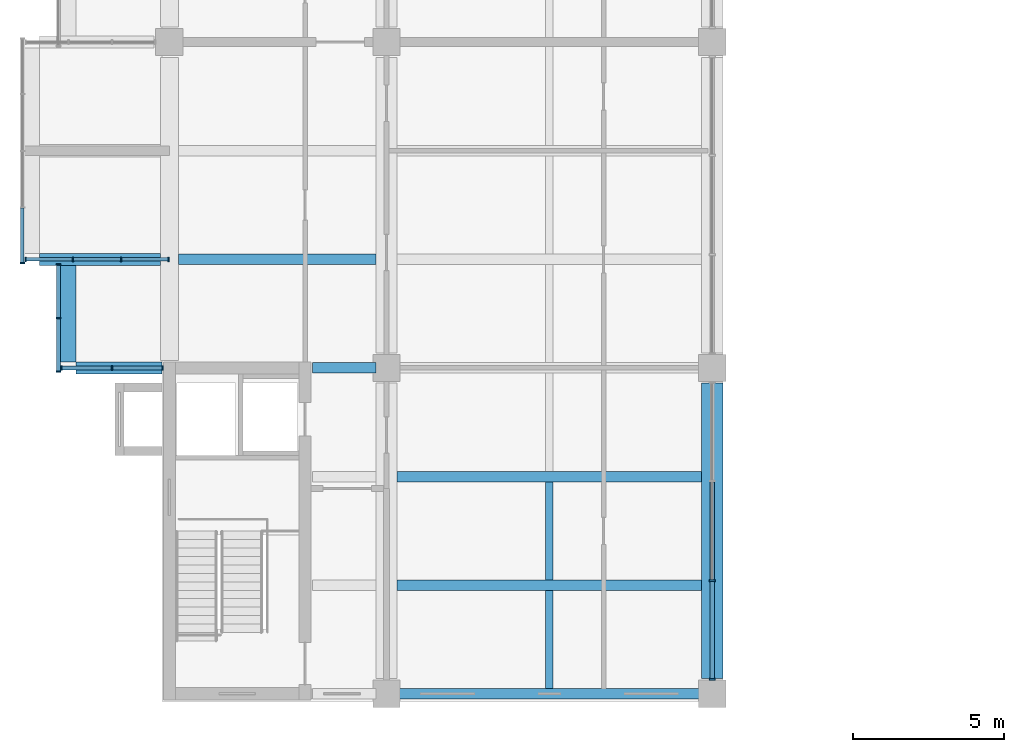
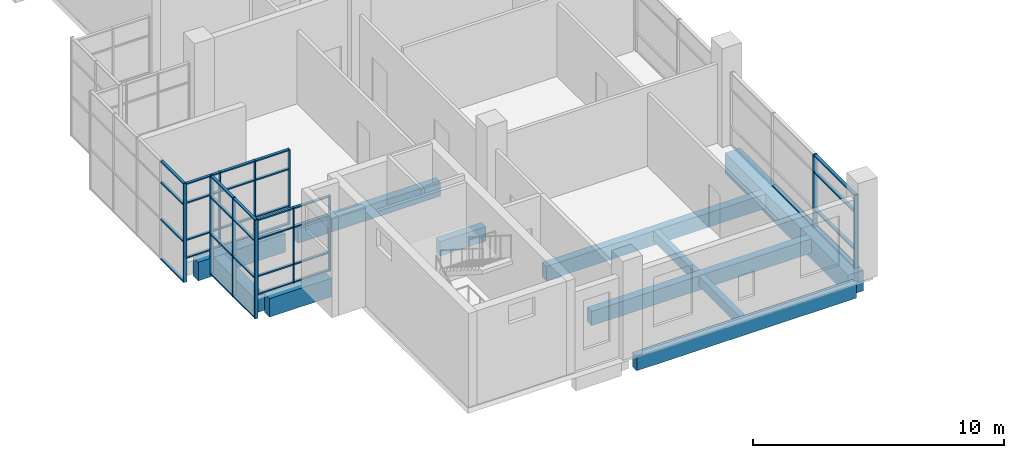
# One storey, part 6 of 32: 50 members, 11 beams, 5 elements without a shape of their own.
"""IFC4 building model written with IfcOpenShell, lengths in metres."""

from ifc_helpers import new_model, si_unit, direction, frame, origin, origin_2d, place, context, subcontext, project, spatial, rectangle, extrude, material, layer, layer_set, material_profile, profile_set, type_object, element, aggregate, save


model = new_model("IFC4")

# Units and contexts
model_context = context("Model", 3, precision=1e-05, world=origin(), true_north=direction((0.0, 1.0)))
body_context = subcontext(model_context, "Body", "Model", "MODEL_VIEW")
ifc_project = project(units=[si_unit("LENGTHUNIT", "METRE"), si_unit("AREAUNIT", "SQUARE_METRE"), si_unit("VOLUMEUNIT", "CUBIC_METRE"), si_unit("PLANEANGLEUNIT", "RADIAN"), si_unit("MASSUNIT", "GRAM", prefix="KILO")], contexts=[model_context])

# Site, building, storey
site_placement = place(None, origin())
site = spatial("IfcSite", under=ifc_project, at=site_placement, CompositionType="ELEMENT")
building_placement = place(site_placement, origin())
building = spatial("IfcBuilding", under=site, at=building_placement, Name="Basin Gate Institute", CompositionType="ELEMENT")
storey_placement = place(building_placement, frame((0.0, 0.0, 41.39990234375)))
storey = spatial("IfcBuildingStorey", under=building, at=storey_placement, Name="L08", CompositionType="ELEMENT", Elevation=41.39990234375)

# Beams
ifc_material_1 = material(Name="Concrete 40 MPa", Category="concrete")
ifc_material_profile_1 = material_profile(ifc_material_1, rectangle(XDim=0.35009765625, YDim=0.699951171875, at=origin_2d()), Name="Beam B1 350 x 700")
ifc_profile_set_1 = profile_set([ifc_material_profile_1], Name="Concrete 40 MPa")
beam_type_1 = type_object("IfcBeamType", Name="Beam B1 R120", PredefinedType="BEAM", material=ifc_profile_set_1)
for number, where, z_axis, x_axis, name in (
    (1, (68.75, 35.10009765625, -0.599853515625), (1.0, 0.0, 0.0), (0.0, 1.0, 0.0), "BEAM/L08/W/EW/01"),
    (2, (68.75, 38.699951171875, -0.599853515625), (1.0, 0.0, 0.0), (0.0, 1.0, 0.0), "BEAM/L08/W/EW/02"),
    (3, (68.75, 42.300048828125, -0.599853515625), (1.0, 0.0, 0.0), (0.0, 1.0, 0.0), "BEAM/L08/W/EW/03"),
):
    element("IfcBeam", number, at=place(storey_placement, frame(where, z_axis=z_axis, x_axis=x_axis)), inside=storey, type_object=beam_type_1, material=ifc_profile_set_1, Name=name, PredefinedType="BEAM", context=body_context, shape_type="SweptSolid", body=[
        extrude(rectangle(XDim=0.35009765625, YDim=0.699951171875, at=origin_2d()), origin(), (0.0, 0.0, 1.0), 10.10009765625),
    ])
beam_1_placement = place(storey_placement, frame((65.949951171875, 45.89990234375, -0.599853515625), z_axis=(1.0, 0.0, 0.0), x_axis=(0.0, 1.0, 0.0)))
element("IfcBeam", 4, at=beam_1_placement, inside=storey, type_object=beam_type_1, material=ifc_profile_set_1, Name="BEAM/L08/W/CORR/04", PredefinedType="BEAM", context=body_context, shape_type="SweptSolid", body=[
    extrude(rectangle(XDim=0.35009765625, YDim=0.699951171875, at=origin_2d()), origin(), (0.0, 0.0, 1.0), 2.10009765625),
])
beam_2_placement = place(storey_placement, frame((61.5, 49.5, -0.599853515625), z_axis=(1.0, 0.0, 0.0), x_axis=(0.0, 1.0, 0.0)))
element("IfcBeam", 5, at=beam_2_placement, inside=storey, type_object=beam_type_1, material=ifc_profile_set_1, Name="BEAM/L08/W/OUT/05", PredefinedType="BEAM", context=body_context, shape_type="SweptSolid", body=[
    extrude(rectangle(XDim=0.35009765625, YDim=0.699951171875, at=origin_2d()), origin(), (0.0, 0.0, 1.0), 6.550048828125),
])
ifc_material_2 = material(Name="Concrete 50 MPa", Category="concrete")
ifc_material_profile_2 = material_profile(ifc_material_2, rectangle(XDim=0.39990234375, YDim=0.89990234375, at=origin_2d()), Name="Cantilever beam B3 400 x 900")
ifc_profile_set_2 = profile_set([ifc_material_profile_2], Name="Concrete 50 MPa")
beam_type_2 = type_object("IfcBeamType", Name="Cantilever beam B3 R120", PredefinedType="BEAM", material=ifc_profile_set_2)
beam_3_placement = place(storey_placement, frame((58.10009765625, 45.89990234375, -0.699951171875), z_axis=(1.0, 0.0, 0.0), x_axis=(0.0, 1.0, 0.0)))
element("IfcBeam", 6, at=beam_3_placement, inside=storey, type_object=beam_type_2, material=ifc_profile_set_2, Name="BEAM/L08/W/CANT/04", PredefinedType="BEAM", context=body_context, shape_type="SweptSolid", body=[
    extrude(rectangle(XDim=0.39990234375, YDim=0.89990234375, at=origin_2d()), origin(), (0.0, 0.0, 1.0), 2.849853515625),
])
beam_4_placement = place(storey_placement, frame((56.89990234375, 49.5, -0.699951171875), z_axis=(1.0, 0.0, 0.0), x_axis=(0.0, 1.0, 0.0)))
element("IfcBeam", 7, at=beam_4_placement, inside=storey, type_object=beam_type_2, material=ifc_profile_set_2, Name="BEAM/L08/W/CANT/05", PredefinedType="BEAM", context=body_context, shape_type="SweptSolid", body=[
    extrude(rectangle(XDim=0.39990234375, YDim=0.89990234375, at=origin_2d()), origin(), (0.0, 0.0, 1.0), 4.0),
])
ifc_material_3 = material(Name="Concrete 50 MPa", Category="concrete")
ifc_material_profile_3 = material_profile(ifc_material_3, rectangle(XDim=0.699951171875, YDim=1.0, at=origin_2d()), Name="Girder G1 700 x 1000")
ifc_profile_set_3 = profile_set([ifc_material_profile_3], Name="Concrete 50 MPa")
beam_type_3 = type_object("IfcBeamType", Name="Girder G1 R120", PredefinedType="BEAM", material=ifc_profile_set_3)
beam_5_placement = place(storey_placement, frame((79.199951171875, 35.60009765625, -0.75), z_axis=(0.0, 1.0, 0.0), x_axis=(-1.0, 0.0, 0.0)))
element("IfcBeam", 8, at=beam_5_placement, inside=storey, type_object=beam_type_3, material=ifc_profile_set_3, Name="GIR/L08/W6/1", PredefinedType="BEAM", context=body_context, shape_type="SweptSolid", body=[
    extrude(rectangle(XDim=0.699951171875, YDim=1.0, at=origin_2d()), origin(), (0.0, 0.0, 1.0), 9.7998046875),
])

# Curtain wall, members
ifc_material_4 = material(Name="Aluminium-framed glazing", Category="aluminium")
ifc_layer_1 = layer(ifc_material_4, 0.14990234375)
ifc_layer_set_1 = layer_set([ifc_layer_1], Name="Capsule front curtain wall CW1")
curtain_wall_type_1 = type_object("IfcCurtainWallType", Name="Capsule front curtain wall CW1", PredefinedType="NOTDEFINED", material=ifc_layer_set_1)
curtain_wall_1_placement = place(storey_placement, origin())
curtain_wall_1 = element("IfcCurtainWall", 9, at=curtain_wall_1_placement, inside=storey, type_object=curtain_wall_type_1, material=ifc_layer_set_1, Name="Capsule front curtain wall W wing capsule end L08 line 4", PredefinedType="NOTDEFINED")
ifc_material_5 = material(Name="Aluminium", Category="aluminium")
ifc_material_profile_4 = material_profile(ifc_material_5, rectangle(XDim=0.14990234375, YDim=0.050048828125, at=origin_2d()), Name="Mullion MU1 150 x 50")
ifc_profile_set_4 = profile_set([ifc_material_profile_4], Name="Aluminium")
member_type_1 = type_object("IfcMemberType", Name="Mullion MU1", PredefinedType="MULLION", material=ifc_profile_set_4)
member_1_placement = place(storey_placement, frame((57.625, 45.89990234375, 0.0), z_axis=(0.0, 0.0, 1.0), x_axis=(0.0, 1.0, 0.0)))
member_1 = element("IfcMember", 10, at=member_1_placement, type_object=member_type_1, material=ifc_profile_set_4, Name="CW1 mullion 1", PredefinedType="MULLION", context=body_context, shape_type="SweptSolid", body=[
    extrude(rectangle(XDim=0.14990234375, YDim=0.050048828125, at=origin_2d()), origin(), (0.0, 0.0, 1.0), 3.650146484375),
])
member_2_placement = place(storey_placement, frame((59.300048828125, 45.89990234375, 0.0), z_axis=(0.0, 0.0, 1.0), x_axis=(0.0, 1.0, 0.0)))
member_2 = element("IfcMember", 11, at=member_2_placement, type_object=member_type_1, material=ifc_profile_set_4, Name="CW1 mullion 2", PredefinedType="MULLION", context=body_context, shape_type="SweptSolid", body=[
    extrude(rectangle(XDim=0.14990234375, YDim=0.050048828125, at=origin_2d()), origin(), (0.0, 0.0, 1.0), 3.650146484375),
])
member_3_placement = place(storey_placement, frame((60.97509765625, 45.89990234375, 0.0), z_axis=(0.0, 0.0, 1.0), x_axis=(0.0, 1.0, 0.0)))
member_3 = element("IfcMember", 12, at=member_3_placement, type_object=member_type_1, material=ifc_profile_set_4, Name="CW1 mullion 3", PredefinedType="MULLION", context=body_context, shape_type="SweptSolid", body=[
    extrude(rectangle(XDim=0.14990234375, YDim=0.050048828125, at=origin_2d()), origin(), (0.0, 0.0, 1.0), 3.650146484375),
])

curtain_wall_2_placement = place(storey_placement, origin())
curtain_wall_2 = element("IfcCurtainWall", 13, at=curtain_wall_2_placement, inside=storey, type_object=curtain_wall_type_1, material=ifc_layer_set_1, Name="Capsule front curtain wall W wing capsule end L08 line 5", PredefinedType="NOTDEFINED")
member_4_placement = place(storey_placement, frame((56.425048828125, 49.5, 0.0), z_axis=(0.0, 0.0, 1.0), x_axis=(0.0, 1.0, 0.0)))
member_4 = element("IfcMember", 14, at=member_4_placement, type_object=member_type_1, material=ifc_profile_set_4, Name="CW1 mullion 1", PredefinedType="MULLION", context=body_context, shape_type="SweptSolid", body=[
    extrude(rectangle(XDim=0.14990234375, YDim=0.050048828125, at=origin_2d()), origin(), (0.0, 0.0, 1.0), 3.650146484375),
])
member_5_placement = place(storey_placement, frame((58.0, 49.5, 0.0), z_axis=(0.0, 0.0, 1.0), x_axis=(0.0, 1.0, 0.0)))
member_5 = element("IfcMember", 15, at=member_5_placement, type_object=member_type_1, material=ifc_profile_set_4, Name="CW1 mullion 2", PredefinedType="MULLION", context=body_context, shape_type="SweptSolid", body=[
    extrude(rectangle(XDim=0.14990234375, YDim=0.050048828125, at=origin_2d()), origin(), (0.0, 0.0, 1.0), 3.650146484375),
])
member_6_placement = place(storey_placement, frame((59.60009765625, 49.5, 0.0), z_axis=(0.0, 0.0, 1.0), x_axis=(0.0, 1.0, 0.0)))
member_6 = element("IfcMember", 16, at=member_6_placement, type_object=member_type_1, material=ifc_profile_set_4, Name="CW1 mullion 3", PredefinedType="MULLION", context=body_context, shape_type="SweptSolid", body=[
    extrude(rectangle(XDim=0.14990234375, YDim=0.050048828125, at=origin_2d()), origin(), (0.0, 0.0, 1.0), 3.650146484375),
])
member_7_placement = place(storey_placement, frame((61.175048828125, 49.5, 0.0), z_axis=(0.0, 0.0, 1.0), x_axis=(0.0, 1.0, 0.0)))
member_7 = element("IfcMember", 17, at=member_7_placement, type_object=member_type_1, material=ifc_profile_set_4, Name="CW1 mullion 4", PredefinedType="MULLION", context=body_context, shape_type="SweptSolid", body=[
    extrude(rectangle(XDim=0.14990234375, YDim=0.050048828125, at=origin_2d()), origin(), (0.0, 0.0, 1.0), 3.650146484375),
])

curtain_wall_3_placement = place(storey_placement, origin())
curtain_wall_3 = element("IfcCurtainWall", 18, at=curtain_wall_3_placement, inside=storey, type_object=curtain_wall_type_1, material=ifc_layer_set_1, Name="Capsule front curtain wall W wing capsule 1 L08 front 1", PredefinedType="NOTDEFINED")
member_8_placement = place(storey_placement, frame((57.52490234375, 45.77490234375, -1.0498046875), z_axis=(0.0, 0.0, 1.0), x_axis=(-1.0, 0.0, 0.0)))
member_8 = element("IfcMember", 19, at=member_8_placement, type_object=member_type_1, material=ifc_profile_set_4, Name="CW1 mullion 1", PredefinedType="MULLION", context=body_context, shape_type="SweptSolid", body=[
    extrude(rectangle(XDim=0.14990234375, YDim=0.050048828125, at=origin_2d()), origin(), (0.0, 0.0, 1.0), 4.7998046875),
])
member_9_placement = place(storey_placement, frame((57.52490234375, 47.550048828125, -1.0498046875), z_axis=(0.0, 0.0, 1.0), x_axis=(-1.0, 0.0, 0.0)))
member_9 = element("IfcMember", 20, at=member_9_placement, type_object=member_type_1, material=ifc_profile_set_4, Name="CW1 mullion 2", PredefinedType="MULLION", context=body_context, shape_type="SweptSolid", body=[
    extrude(rectangle(XDim=0.14990234375, YDim=0.050048828125, at=origin_2d()), origin(), (0.0, 0.0, 1.0), 4.7998046875),
])
member_10_placement = place(storey_placement, frame((57.52490234375, 49.324951171875, -1.0498046875), z_axis=(0.0, 0.0, 1.0), x_axis=(-1.0, 0.0, 0.0)))
member_10 = element("IfcMember", 21, at=member_10_placement, type_object=member_type_1, material=ifc_profile_set_4, Name="CW1 mullion 3", PredefinedType="MULLION", context=body_context, shape_type="SweptSolid", body=[
    extrude(rectangle(XDim=0.14990234375, YDim=0.050048828125, at=origin_2d()), origin(), (0.0, 0.0, 1.0), 4.7998046875),
])

# Curtain wall, member
curtain_wall_4_placement = place(storey_placement, origin())
curtain_wall_4 = element("IfcCurtainWall", 22, at=curtain_wall_4_placement, inside=storey, type_object=curtain_wall_type_1, material=ifc_layer_set_1, Name="Capsule front curtain wall W wing capsule 1 L08 front 2", PredefinedType="NOTDEFINED")
member_11_placement = place(storey_placement, frame((56.324951171875, 49.375, -1.0498046875), z_axis=(0.0, 0.0, 1.0), x_axis=(-1.0, 0.0, 0.0)))
member_11 = element("IfcMember", 23, at=member_11_placement, type_object=member_type_1, material=ifc_profile_set_4, Name="CW1 mullion 1", PredefinedType="MULLION", context=body_context, shape_type="SweptSolid", body=[
    extrude(rectangle(XDim=0.14990234375, YDim=0.050048828125, at=origin_2d()), origin(), (0.0, 0.0, 1.0), 4.7998046875),
])

# Curtain wall, members
ifc_material_6 = material(Name="Aluminium-framed glazing", Category="aluminium")
ifc_layer_2 = layer(ifc_material_6, 0.199951171875)
ifc_layer_set_2 = layer_set([ifc_layer_2], Name="Atrium curtain wall CW2")
curtain_wall_type_2 = type_object("IfcCurtainWallType", Name="Atrium curtain wall CW2", PredefinedType="NOTDEFINED", material=ifc_layer_set_2)
curtain_wall_5_placement = place(storey_placement, origin())
curtain_wall_5 = element("IfcCurtainWall", 24, at=curtain_wall_5_placement, inside=storey, type_object=curtain_wall_type_2, material=ifc_layer_set_2, Name="Atrium curtain wall W wing atrium bay 1 L08", PredefinedType="NOTDEFINED")
ifc_material_7 = material(Name="Aluminium", Category="aluminium")
ifc_material_profile_5 = material_profile(ifc_material_7, rectangle(XDim=0.199951171875, YDim=0.06005859375, at=origin_2d()), Name="Mullion MU2 200 x 60")
ifc_profile_set_5 = profile_set([ifc_material_profile_5], Name="Aluminium")
member_type_2 = type_object("IfcMemberType", Name="Mullion MU2", PredefinedType="MULLION", material=ifc_profile_set_5)
member_12_placement = place(storey_placement, frame((79.199951171875, 35.580078125, 0.0), z_axis=(0.0, 0.0, 1.0), x_axis=(-1.0, 0.0, 0.0)))
member_12 = element("IfcMember", 25, at=member_12_placement, type_object=member_type_2, material=ifc_profile_set_5, Name="CW2 mullion 1", PredefinedType="MULLION", context=body_context, shape_type="SweptSolid", body=[
    extrude(rectangle(XDim=0.199951171875, YDim=0.06005859375, at=origin_2d()), origin(), (0.0, 0.0, 1.0), 3.550048828125),
])
member_13_placement = place(storey_placement, frame((79.199951171875, 38.85009765625, 0.0), z_axis=(0.0, 0.0, 1.0), x_axis=(-1.0, 0.0, 0.0)))
member_13 = element("IfcMember", 26, at=member_13_placement, type_object=member_type_2, material=ifc_profile_set_5, Name="CW2 mullion 2", PredefinedType="MULLION", context=body_context, shape_type="SweptSolid", body=[
    extrude(rectangle(XDim=0.199951171875, YDim=0.06005859375, at=origin_2d()), origin(), (0.0, 0.0, 1.0), 3.550048828125),
])

# Beams
ifc_material_8 = material(Name="Concrete 40 MPa", Category="concrete")
ifc_material_profile_6 = material_profile(ifc_material_8, rectangle(XDim=0.25, YDim=0.5, at=origin_2d()), Name="Rib R1 250 x 500")
ifc_profile_set_6 = profile_set([ifc_material_profile_6], Name="Concrete 40 MPa")
beam_type_4 = type_object("IfcBeamType", Name="Rib R1 R120", PredefinedType="JOIST", material=ifc_profile_set_6)
for number, where, z_axis, x_axis, name in (
    (27, (73.800048828125, 35.27490234375, -0.5), (0.0, 1.0, 0.0), (-1.0, 0.0, 0.0), "BEAM/L08/W/RIB/01"),
    (28, (73.800048828125, 38.875, -0.5), (0.0, 1.0, 0.0), (-1.0, 0.0, 0.0), "BEAM/L08/W/RIB/02"),
):
    element("IfcBeam", number, at=place(storey_placement, frame(where, z_axis=z_axis, x_axis=x_axis)), inside=storey, type_object=beam_type_4, material=ifc_profile_set_6, Name=name, PredefinedType="JOIST", context=body_context, shape_type="SweptSolid", body=[
        extrude(rectangle(XDim=0.25, YDim=0.5, at=origin_2d()), origin(), (0.0, 0.0, 1.0), 3.25),
    ])
ifc_material_9 = material(Name="Concrete 50 MPa", Category="concrete")
ifc_material_profile_7 = material_profile(ifc_material_9, rectangle(XDim=0.5, YDim=0.800048828125, at=origin_2d()), Name="Tip beam TB1 500 x 800")
ifc_profile_set_7 = profile_set([ifc_material_profile_7], Name="Concrete 50 MPa")
beam_type_5 = type_object("IfcBeamType", Name="Tip beam TB1 R120", PredefinedType="SPANDREL", material=ifc_profile_set_7)
beam_6_placement = place(storey_placement, frame((57.85009765625, 46.10009765625, -0.64990234375), z_axis=(0.0, 1.0, 0.0), x_axis=(-1.0, 0.0, 0.0)))
element("IfcBeam", 29, at=beam_6_placement, inside=storey, type_object=beam_type_5, material=ifc_profile_set_7, Name="BEAM/L08/W/TIP/1", PredefinedType="SPANDREL", context=body_context, shape_type="SweptSolid", body=[
    extrude(rectangle(XDim=0.5, YDim=0.800048828125, at=origin_2d()), origin(), (0.0, 0.0, 1.0), 3.199951171875),
])

# Member
ifc_material_10 = material(Name="Aluminium", Category="aluminium")
ifc_material_profile_8 = material_profile(ifc_material_10, rectangle(XDim=0.1201171875, YDim=0.06005859375, at=origin_2d()), Name="Transom TR1 120 x 60")
ifc_profile_set_8 = profile_set([ifc_material_profile_8], Name="Aluminium")
member_type_3 = type_object("IfcMemberType", Name="Transom TR1", PredefinedType="USERDEFINED", material=ifc_profile_set_8)
member_14_placement = place(storey_placement, frame((57.64990234375, 45.89990234375, 0.030029296875), z_axis=(1.0, 0.0, 0.0), x_axis=(0.0, 1.0, 0.0)))
member_14 = element("IfcMember", 30, at=member_14_placement, type_object=member_type_3, material=ifc_profile_set_8, Name="CW1 transom 1.1", ObjectType="TRANSOM", PredefinedType="USERDEFINED", context=body_context, shape_type="SweptSolid", body=[
    extrude(rectangle(XDim=0.1201171875, YDim=0.06005859375, at=origin_2d()), origin(), (0.0, 0.0, 1.0), 1.625),
])

member_15_placement = place(storey_placement, frame((57.64990234375, 45.89990234375, 0.900146484375), z_axis=(1.0, 0.0, 0.0), x_axis=(0.0, 1.0, 0.0)))
member_15 = element("IfcMember", 31, at=member_15_placement, type_object=member_type_3, material=ifc_profile_set_8, Name="CW1 transom 1.2", ObjectType="TRANSOM", PredefinedType="USERDEFINED", context=body_context, shape_type="SweptSolid", body=[
    extrude(rectangle(XDim=0.1201171875, YDim=0.06005859375, at=origin_2d()), origin(), (0.0, 0.0, 1.0), 1.625),
])

member_16_placement = place(storey_placement, frame((57.64990234375, 45.89990234375, 2.7001953125), z_axis=(1.0, 0.0, 0.0), x_axis=(0.0, 1.0, 0.0)))
member_16 = element("IfcMember", 32, at=member_16_placement, type_object=member_type_3, material=ifc_profile_set_8, Name="CW1 transom 1.3", ObjectType="TRANSOM", PredefinedType="USERDEFINED", context=body_context, shape_type="SweptSolid", body=[
    extrude(rectangle(XDim=0.1201171875, YDim=0.06005859375, at=origin_2d()), origin(), (0.0, 0.0, 1.0), 1.625),
])

member_17_placement = place(storey_placement, frame((57.64990234375, 45.89990234375, 3.6201171875), z_axis=(1.0, 0.0, 0.0), x_axis=(0.0, 1.0, 0.0)))
member_17 = element("IfcMember", 33, at=member_17_placement, type_object=member_type_3, material=ifc_profile_set_8, Name="CW1 transom 1.4", ObjectType="TRANSOM", PredefinedType="USERDEFINED", context=body_context, shape_type="SweptSolid", body=[
    extrude(rectangle(XDim=0.1201171875, YDim=0.06005859375, at=origin_2d()), origin(), (0.0, 0.0, 1.0), 1.625),
])

member_18_placement = place(storey_placement, frame((59.324951171875, 45.89990234375, 0.030029296875), z_axis=(1.0, 0.0, 0.0), x_axis=(0.0, 1.0, 0.0)))
member_18 = element("IfcMember", 34, at=member_18_placement, type_object=member_type_3, material=ifc_profile_set_8, Name="CW1 transom 2.1", ObjectType="TRANSOM", PredefinedType="USERDEFINED", context=body_context, shape_type="SweptSolid", body=[
    extrude(rectangle(XDim=0.1201171875, YDim=0.06005859375, at=origin_2d()), origin(), (0.0, 0.0, 1.0), 1.625),
])

member_19_placement = place(storey_placement, frame((59.324951171875, 45.89990234375, 0.900146484375), z_axis=(1.0, 0.0, 0.0), x_axis=(0.0, 1.0, 0.0)))
member_19 = element("IfcMember", 35, at=member_19_placement, type_object=member_type_3, material=ifc_profile_set_8, Name="CW1 transom 2.2", ObjectType="TRANSOM", PredefinedType="USERDEFINED", context=body_context, shape_type="SweptSolid", body=[
    extrude(rectangle(XDim=0.1201171875, YDim=0.06005859375, at=origin_2d()), origin(), (0.0, 0.0, 1.0), 1.625),
])

member_20_placement = place(storey_placement, frame((59.324951171875, 45.89990234375, 2.7001953125), z_axis=(1.0, 0.0, 0.0), x_axis=(0.0, 1.0, 0.0)))
member_20 = element("IfcMember", 36, at=member_20_placement, type_object=member_type_3, material=ifc_profile_set_8, Name="CW1 transom 2.3", ObjectType="TRANSOM", PredefinedType="USERDEFINED", context=body_context, shape_type="SweptSolid", body=[
    extrude(rectangle(XDim=0.1201171875, YDim=0.06005859375, at=origin_2d()), origin(), (0.0, 0.0, 1.0), 1.625),
])

member_21_placement = place(storey_placement, frame((59.324951171875, 45.89990234375, 3.6201171875), z_axis=(1.0, 0.0, 0.0), x_axis=(0.0, 1.0, 0.0)))
member_21 = element("IfcMember", 37, at=member_21_placement, type_object=member_type_3, material=ifc_profile_set_8, Name="CW1 transom 2.4", ObjectType="TRANSOM", PredefinedType="USERDEFINED", context=body_context, shape_type="SweptSolid", body=[
    extrude(rectangle(XDim=0.1201171875, YDim=0.06005859375, at=origin_2d()), origin(), (0.0, 0.0, 1.0), 1.625),
])

aggregate(curtain_wall_1, [member_1, member_2, member_3, member_14, member_15, member_16, member_17, member_18, member_19, member_20, member_21])

member_22_placement = place(storey_placement, frame((56.449951171875, 49.5, 0.030029296875), z_axis=(1.0, 0.0, 0.0), x_axis=(0.0, 1.0, 0.0)))
member_22 = element("IfcMember", 38, at=member_22_placement, type_object=member_type_3, material=ifc_profile_set_8, Name="CW1 transom 1.1", ObjectType="TRANSOM", PredefinedType="USERDEFINED", context=body_context, shape_type="SweptSolid", body=[
    extrude(rectangle(XDim=0.1201171875, YDim=0.06005859375, at=origin_2d()), origin(), (0.0, 0.0, 1.0), 1.525146484375),
])

member_23_placement = place(storey_placement, frame((56.449951171875, 49.5, 0.900146484375), z_axis=(1.0, 0.0, 0.0), x_axis=(0.0, 1.0, 0.0)))
member_23 = element("IfcMember", 39, at=member_23_placement, type_object=member_type_3, material=ifc_profile_set_8, Name="CW1 transom 1.2", ObjectType="TRANSOM", PredefinedType="USERDEFINED", context=body_context, shape_type="SweptSolid", body=[
    extrude(rectangle(XDim=0.1201171875, YDim=0.06005859375, at=origin_2d()), origin(), (0.0, 0.0, 1.0), 1.525146484375),
])

member_24_placement = place(storey_placement, frame((56.449951171875, 49.5, 2.7001953125), z_axis=(1.0, 0.0, 0.0), x_axis=(0.0, 1.0, 0.0)))
member_24 = element("IfcMember", 40, at=member_24_placement, type_object=member_type_3, material=ifc_profile_set_8, Name="CW1 transom 1.3", ObjectType="TRANSOM", PredefinedType="USERDEFINED", context=body_context, shape_type="SweptSolid", body=[
    extrude(rectangle(XDim=0.1201171875, YDim=0.06005859375, at=origin_2d()), origin(), (0.0, 0.0, 1.0), 1.525146484375),
])

member_25_placement = place(storey_placement, frame((56.449951171875, 49.5, 3.6201171875), z_axis=(1.0, 0.0, 0.0), x_axis=(0.0, 1.0, 0.0)))
member_25 = element("IfcMember", 41, at=member_25_placement, type_object=member_type_3, material=ifc_profile_set_8, Name="CW1 transom 1.4", ObjectType="TRANSOM", PredefinedType="USERDEFINED", context=body_context, shape_type="SweptSolid", body=[
    extrude(rectangle(XDim=0.1201171875, YDim=0.06005859375, at=origin_2d()), origin(), (0.0, 0.0, 1.0), 1.525146484375),
])

member_26_placement = place(storey_placement, frame((58.02490234375, 49.5, 0.030029296875), z_axis=(1.0, 0.0, 0.0), x_axis=(0.0, 1.0, 0.0)))
member_26 = element("IfcMember", 42, at=member_26_placement, type_object=member_type_3, material=ifc_profile_set_8, Name="CW1 transom 2.1", ObjectType="TRANSOM", PredefinedType="USERDEFINED", context=body_context, shape_type="SweptSolid", body=[
    extrude(rectangle(XDim=0.1201171875, YDim=0.06005859375, at=origin_2d()), origin(), (0.0, 0.0, 1.0), 1.550048828125),
])

member_27_placement = place(storey_placement, frame((58.02490234375, 49.5, 0.900146484375), z_axis=(1.0, 0.0, 0.0), x_axis=(0.0, 1.0, 0.0)))
member_27 = element("IfcMember", 43, at=member_27_placement, type_object=member_type_3, material=ifc_profile_set_8, Name="CW1 transom 2.2", ObjectType="TRANSOM", PredefinedType="USERDEFINED", context=body_context, shape_type="SweptSolid", body=[
    extrude(rectangle(XDim=0.1201171875, YDim=0.06005859375, at=origin_2d()), origin(), (0.0, 0.0, 1.0), 1.550048828125),
])

member_28_placement = place(storey_placement, frame((58.02490234375, 49.5, 2.7001953125), z_axis=(1.0, 0.0, 0.0), x_axis=(0.0, 1.0, 0.0)))
member_28 = element("IfcMember", 44, at=member_28_placement, type_object=member_type_3, material=ifc_profile_set_8, Name="CW1 transom 2.3", ObjectType="TRANSOM", PredefinedType="USERDEFINED", context=body_context, shape_type="SweptSolid", body=[
    extrude(rectangle(XDim=0.1201171875, YDim=0.06005859375, at=origin_2d()), origin(), (0.0, 0.0, 1.0), 1.550048828125),
])

member_29_placement = place(storey_placement, frame((58.02490234375, 49.5, 3.6201171875), z_axis=(1.0, 0.0, 0.0), x_axis=(0.0, 1.0, 0.0)))
member_29 = element("IfcMember", 45, at=member_29_placement, type_object=member_type_3, material=ifc_profile_set_8, Name="CW1 transom 2.4", ObjectType="TRANSOM", PredefinedType="USERDEFINED", context=body_context, shape_type="SweptSolid", body=[
    extrude(rectangle(XDim=0.1201171875, YDim=0.06005859375, at=origin_2d()), origin(), (0.0, 0.0, 1.0), 1.550048828125),
])

member_30_placement = place(storey_placement, frame((59.625, 49.5, 0.030029296875), z_axis=(1.0, 0.0, 0.0), x_axis=(0.0, 1.0, 0.0)))
member_30 = element("IfcMember", 46, at=member_30_placement, type_object=member_type_3, material=ifc_profile_set_8, Name="CW1 transom 3.1", ObjectType="TRANSOM", PredefinedType="USERDEFINED", context=body_context, shape_type="SweptSolid", body=[
    extrude(rectangle(XDim=0.1201171875, YDim=0.06005859375, at=origin_2d()), origin(), (0.0, 0.0, 1.0), 1.52490234375),
])

member_31_placement = place(storey_placement, frame((59.625, 49.5, 0.900146484375), z_axis=(1.0, 0.0, 0.0), x_axis=(0.0, 1.0, 0.0)))
member_31 = element("IfcMember", 47, at=member_31_placement, type_object=member_type_3, material=ifc_profile_set_8, Name="CW1 transom 3.2", ObjectType="TRANSOM", PredefinedType="USERDEFINED", context=body_context, shape_type="SweptSolid", body=[
    extrude(rectangle(XDim=0.1201171875, YDim=0.06005859375, at=origin_2d()), origin(), (0.0, 0.0, 1.0), 1.52490234375),
])

member_32_placement = place(storey_placement, frame((59.625, 49.5, 2.7001953125), z_axis=(1.0, 0.0, 0.0), x_axis=(0.0, 1.0, 0.0)))
member_32 = element("IfcMember", 48, at=member_32_placement, type_object=member_type_3, material=ifc_profile_set_8, Name="CW1 transom 3.3", ObjectType="TRANSOM", PredefinedType="USERDEFINED", context=body_context, shape_type="SweptSolid", body=[
    extrude(rectangle(XDim=0.1201171875, YDim=0.06005859375, at=origin_2d()), origin(), (0.0, 0.0, 1.0), 1.52490234375),
])

member_33_placement = place(storey_placement, frame((59.625, 49.5, 3.6201171875), z_axis=(1.0, 0.0, 0.0), x_axis=(0.0, 1.0, 0.0)))
member_33 = element("IfcMember", 49, at=member_33_placement, type_object=member_type_3, material=ifc_profile_set_8, Name="CW1 transom 3.4", ObjectType="TRANSOM", PredefinedType="USERDEFINED", context=body_context, shape_type="SweptSolid", body=[
    extrude(rectangle(XDim=0.1201171875, YDim=0.06005859375, at=origin_2d()), origin(), (0.0, 0.0, 1.0), 1.52490234375),
])

aggregate(curtain_wall_2, [member_4, member_5, member_6, member_7, member_22, member_23, member_24, member_25, member_26, member_27, member_28, member_29, member_30, member_31, member_32, member_33])

member_34_placement = place(storey_placement, frame((57.52490234375, 45.800048828125, -1.02001953125), z_axis=(0.0, 1.0, 0.0), x_axis=(-1.0, 0.0, 0.0)))
member_34 = element("IfcMember", 50, at=member_34_placement, type_object=member_type_3, material=ifc_profile_set_8, Name="CW1 transom 1.1", ObjectType="TRANSOM", PredefinedType="USERDEFINED", context=body_context, shape_type="SweptSolid", body=[
    extrude(rectangle(XDim=0.1201171875, YDim=0.06005859375, at=origin_2d()), origin(), (0.0, 0.0, 1.0), 1.724853515625),
])

member_35_placement = place(storey_placement, frame((57.52490234375, 45.800048828125, 0.900146484375), z_axis=(0.0, 1.0, 0.0), x_axis=(-1.0, 0.0, 0.0)))
member_35 = element("IfcMember", 51, at=member_35_placement, type_object=member_type_3, material=ifc_profile_set_8, Name="CW1 transom 1.2", ObjectType="TRANSOM", PredefinedType="USERDEFINED", context=body_context, shape_type="SweptSolid", body=[
    extrude(rectangle(XDim=0.1201171875, YDim=0.06005859375, at=origin_2d()), origin(), (0.0, 0.0, 1.0), 1.724853515625),
])

member_36_placement = place(storey_placement, frame((57.52490234375, 45.800048828125, 2.7001953125), z_axis=(0.0, 1.0, 0.0), x_axis=(-1.0, 0.0, 0.0)))
member_36 = element("IfcMember", 52, at=member_36_placement, type_object=member_type_3, material=ifc_profile_set_8, Name="CW1 transom 1.3", ObjectType="TRANSOM", PredefinedType="USERDEFINED", context=body_context, shape_type="SweptSolid", body=[
    extrude(rectangle(XDim=0.1201171875, YDim=0.06005859375, at=origin_2d()), origin(), (0.0, 0.0, 1.0), 1.724853515625),
])

member_37_placement = place(storey_placement, frame((57.52490234375, 45.800048828125, 3.72021484375), z_axis=(0.0, 1.0, 0.0), x_axis=(-1.0, 0.0, 0.0)))
member_37 = element("IfcMember", 53, at=member_37_placement, type_object=member_type_3, material=ifc_profile_set_8, Name="CW1 transom 1.4", ObjectType="TRANSOM", PredefinedType="USERDEFINED", context=body_context, shape_type="SweptSolid", body=[
    extrude(rectangle(XDim=0.1201171875, YDim=0.06005859375, at=origin_2d()), origin(), (0.0, 0.0, 1.0), 1.724853515625),
])

member_38_placement = place(storey_placement, frame((57.52490234375, 47.574951171875, -1.02001953125), z_axis=(0.0, 1.0, 0.0), x_axis=(-1.0, 0.0, 0.0)))
member_38 = element("IfcMember", 54, at=member_38_placement, type_object=member_type_3, material=ifc_profile_set_8, Name="CW1 transom 2.1", ObjectType="TRANSOM", PredefinedType="USERDEFINED", context=body_context, shape_type="SweptSolid", body=[
    extrude(rectangle(XDim=0.1201171875, YDim=0.06005859375, at=origin_2d()), origin(), (0.0, 0.0, 1.0), 1.72509765625),
])

member_39_placement = place(storey_placement, frame((57.52490234375, 47.574951171875, 0.900146484375), z_axis=(0.0, 1.0, 0.0), x_axis=(-1.0, 0.0, 0.0)))
member_39 = element("IfcMember", 55, at=member_39_placement, type_object=member_type_3, material=ifc_profile_set_8, Name="CW1 transom 2.2", ObjectType="TRANSOM", PredefinedType="USERDEFINED", context=body_context, shape_type="SweptSolid", body=[
    extrude(rectangle(XDim=0.1201171875, YDim=0.06005859375, at=origin_2d()), origin(), (0.0, 0.0, 1.0), 1.72509765625),
])

member_40_placement = place(storey_placement, frame((57.52490234375, 47.574951171875, 2.7001953125), z_axis=(0.0, 1.0, 0.0), x_axis=(-1.0, 0.0, 0.0)))
member_40 = element("IfcMember", 56, at=member_40_placement, type_object=member_type_3, material=ifc_profile_set_8, Name="CW1 transom 2.3", ObjectType="TRANSOM", PredefinedType="USERDEFINED", context=body_context, shape_type="SweptSolid", body=[
    extrude(rectangle(XDim=0.1201171875, YDim=0.06005859375, at=origin_2d()), origin(), (0.0, 0.0, 1.0), 1.72509765625),
])

member_41_placement = place(storey_placement, frame((57.52490234375, 47.574951171875, 3.72021484375), z_axis=(0.0, 1.0, 0.0), x_axis=(-1.0, 0.0, 0.0)))
member_41 = element("IfcMember", 57, at=member_41_placement, type_object=member_type_3, material=ifc_profile_set_8, Name="CW1 transom 2.4", ObjectType="TRANSOM", PredefinedType="USERDEFINED", context=body_context, shape_type="SweptSolid", body=[
    extrude(rectangle(XDim=0.1201171875, YDim=0.06005859375, at=origin_2d()), origin(), (0.0, 0.0, 1.0), 1.72509765625),
])

aggregate(curtain_wall_3, [member_8, member_9, member_10, member_34, member_35, member_36, member_37, member_38, member_39, member_40, member_41])

member_42_placement = place(storey_placement, frame((56.324951171875, 49.39990234375, -1.02001953125), z_axis=(0.0, 1.0, 0.0), x_axis=(-1.0, 0.0, 0.0)))
member_42 = element("IfcMember", 58, at=member_42_placement, type_object=member_type_3, material=ifc_profile_set_8, Name="CW1 transom 1.1", ObjectType="TRANSOM", PredefinedType="USERDEFINED", context=body_context, shape_type="SweptSolid", body=[
    extrude(rectangle(XDim=0.1201171875, YDim=0.06005859375, at=origin_2d()), origin(), (0.0, 0.0, 1.0), 1.800048828125),
])

member_43_placement = place(storey_placement, frame((56.324951171875, 49.39990234375, 0.900146484375), z_axis=(0.0, 1.0, 0.0), x_axis=(-1.0, 0.0, 0.0)))
member_43 = element("IfcMember", 59, at=member_43_placement, type_object=member_type_3, material=ifc_profile_set_8, Name="CW1 transom 1.2", ObjectType="TRANSOM", PredefinedType="USERDEFINED", context=body_context, shape_type="SweptSolid", body=[
    extrude(rectangle(XDim=0.1201171875, YDim=0.06005859375, at=origin_2d()), origin(), (0.0, 0.0, 1.0), 1.800048828125),
])

member_44_placement = place(storey_placement, frame((56.324951171875, 49.39990234375, 2.7001953125), z_axis=(0.0, 1.0, 0.0), x_axis=(-1.0, 0.0, 0.0)))
member_44 = element("IfcMember", 60, at=member_44_placement, type_object=member_type_3, material=ifc_profile_set_8, Name="CW1 transom 1.3", ObjectType="TRANSOM", PredefinedType="USERDEFINED", context=body_context, shape_type="SweptSolid", body=[
    extrude(rectangle(XDim=0.1201171875, YDim=0.06005859375, at=origin_2d()), origin(), (0.0, 0.0, 1.0), 1.800048828125),
])

member_45_placement = place(storey_placement, frame((56.324951171875, 49.39990234375, 3.72021484375), z_axis=(0.0, 1.0, 0.0), x_axis=(-1.0, 0.0, 0.0)))
member_45 = element("IfcMember", 61, at=member_45_placement, type_object=member_type_3, material=ifc_profile_set_8, Name="CW1 transom 1.4", ObjectType="TRANSOM", PredefinedType="USERDEFINED", context=body_context, shape_type="SweptSolid", body=[
    extrude(rectangle(XDim=0.1201171875, YDim=0.06005859375, at=origin_2d()), origin(), (0.0, 0.0, 1.0), 1.800048828125),
])

aggregate(curtain_wall_4, [member_11, member_42, member_43, member_44, member_45])

ifc_material_11 = material(Name="Aluminium", Category="aluminium")
ifc_material_profile_9 = material_profile(ifc_material_11, rectangle(XDim=0.14990234375, YDim=0.06005859375, at=origin_2d()), Name="Transom TR2 150 x 60")
ifc_profile_set_9 = profile_set([ifc_material_profile_9], Name="Aluminium")
member_type_4 = type_object("IfcMemberType", Name="Transom TR2", PredefinedType="USERDEFINED", material=ifc_profile_set_9)
member_46_placement = place(storey_placement, frame((79.199951171875, 35.610107421875, 0.030029296875), z_axis=(0.0, 1.0, 0.0), x_axis=(-1.0, 0.0, 0.0)))
member_46 = element("IfcMember", 62, at=member_46_placement, type_object=member_type_4, material=ifc_profile_set_9, Name="CW2 transom 1.1", ObjectType="TRANSOM", PredefinedType="USERDEFINED", context=body_context, shape_type="SweptSolid", body=[
    extrude(rectangle(XDim=0.14990234375, YDim=0.06005859375, at=origin_2d()), origin(), (0.0, 0.0, 1.0), 3.2099609375),
])

member_47_placement = place(storey_placement, frame((79.199951171875, 35.610107421875, 0.900146484375), z_axis=(0.0, 1.0, 0.0), x_axis=(-1.0, 0.0, 0.0)))
member_47 = element("IfcMember", 63, at=member_47_placement, type_object=member_type_4, material=ifc_profile_set_9, Name="CW2 transom 1.2", ObjectType="TRANSOM", PredefinedType="USERDEFINED", context=body_context, shape_type="SweptSolid", body=[
    extrude(rectangle(XDim=0.14990234375, YDim=0.06005859375, at=origin_2d()), origin(), (0.0, 0.0, 1.0), 3.2099609375),
])

member_48_placement = place(storey_placement, frame((79.199951171875, 35.610107421875, 2.7001953125), z_axis=(0.0, 1.0, 0.0), x_axis=(-1.0, 0.0, 0.0)))
member_48 = element("IfcMember", 64, at=member_48_placement, type_object=member_type_4, material=ifc_profile_set_9, Name="CW2 transom 1.3", ObjectType="TRANSOM", PredefinedType="USERDEFINED", context=body_context, shape_type="SweptSolid", body=[
    extrude(rectangle(XDim=0.14990234375, YDim=0.06005859375, at=origin_2d()), origin(), (0.0, 0.0, 1.0), 3.2099609375),
])

member_49_placement = place(storey_placement, frame((79.199951171875, 35.610107421875, 3.52001953125), z_axis=(0.0, 1.0, 0.0), x_axis=(-1.0, 0.0, 0.0)))
member_49 = element("IfcMember", 65, at=member_49_placement, type_object=member_type_4, material=ifc_profile_set_9, Name="CW2 transom 1.4", ObjectType="TRANSOM", PredefinedType="USERDEFINED", context=body_context, shape_type="SweptSolid", body=[
    extrude(rectangle(XDim=0.14990234375, YDim=0.06005859375, at=origin_2d()), origin(), (0.0, 0.0, 1.0), 3.2099609375),
])

member_50_placement = place(storey_placement, frame((79.199951171875, 38.8798828125, 0.030029296875), z_axis=(0.0, 1.0, 0.0), x_axis=(-1.0, 0.0, 0.0)))
member_50 = element("IfcMember", 66, at=member_50_placement, type_object=member_type_4, material=ifc_profile_set_9, Name="CW2 transom 2.1", ObjectType="TRANSOM", PredefinedType="USERDEFINED", context=body_context, shape_type="SweptSolid", body=[
    extrude(rectangle(XDim=0.14990234375, YDim=0.06005859375, at=origin_2d()), origin(), (0.0, 0.0, 1.0), 3.240234375),
])

aggregate(curtain_wall_5, [member_12, member_13, member_46, member_47, member_48, member_49, member_50])

save(model, "model.ifc")
